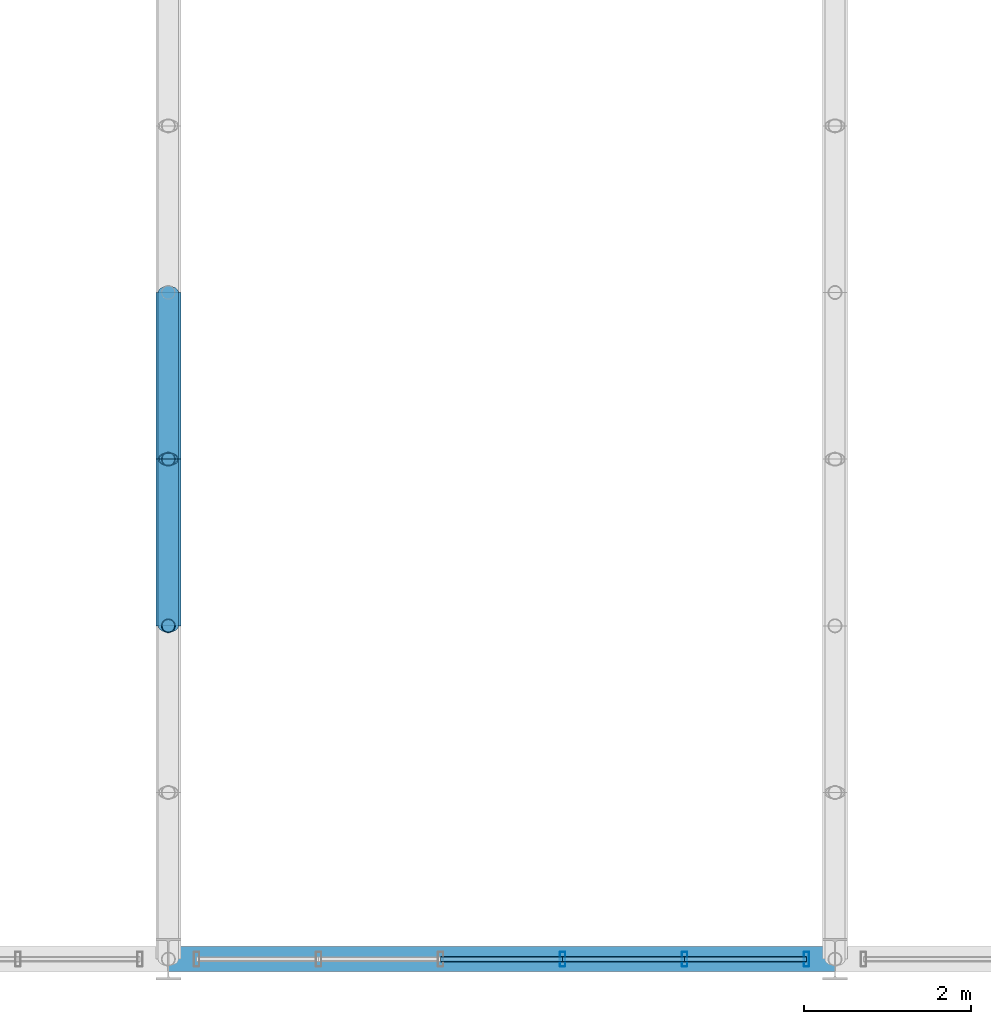
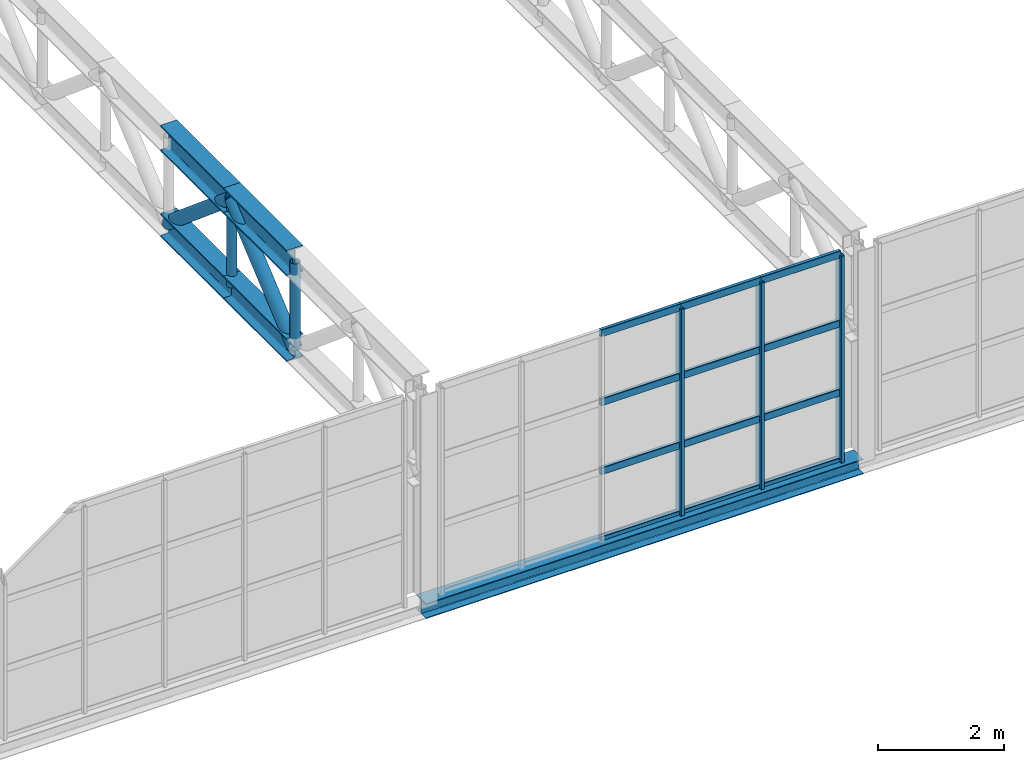
# One storey, part 14 of 67: 23 members, 1 beam, 1 element without a shape of its own.
"""IFC4 building model written with IfcOpenShell, lengths in metres."""

from ifc_helpers import new_model, si_unit, derived_unit, direction, frame, origin, origin_2d, place, context, subcontext, project, spatial, hollow_rectangle, hollow_circle, i_section, extrude, material, material_profile, profile_set, type_object, element, aggregate, save


model = new_model("IFC4")

# Units and contexts
model_context = context("Model", 3, precision=1e-05, world=origin(), true_north=direction((0.0, 1.0)))
body_context = subcontext(model_context, "Body", "Model", "MODEL_VIEW")
ifc_project = project(units=[si_unit("LENGTHUNIT", "METRE"), si_unit("AREAUNIT", "SQUARE_METRE"), si_unit("VOLUMEUNIT", "CUBIC_METRE"), si_unit("PLANEANGLEUNIT", "RADIAN"), si_unit("MASSUNIT", "GRAM", prefix="KILO"), derived_unit("THERMALTRANSMITTANCEUNIT", [(si_unit("POWERUNIT", "WATT"), 1), (si_unit("LENGTHUNIT", "METRE"), -2), (si_unit("THERMODYNAMICTEMPERATUREUNIT", "KELVIN"), -1)])], contexts=[model_context])

# Site, building, storey
site_placement = place(None, origin())
site = spatial("IfcSite", under=ifc_project, at=site_placement, CompositionType="ELEMENT")
building_placement = place(site_placement, origin())
building = spatial("IfcBuilding", under=site, at=building_placement, Name="Keldorne Ridge Multi-Sports Centre", CompositionType="ELEMENT")
storey_placement = place(building_placement, frame((0.0, 0.0, 14.0)))
storey = spatial("IfcBuildingStorey", under=building, at=storey_placement, Name="L03", CompositionType="ELEMENT", Elevation=14.0)

# Beam
ifc_material_1 = material(Name="Steel S355", Category="steel")
ifc_material_profile_1 = material_profile(ifc_material_1, i_section(OverallWidth=0.300048828125, OverallDepth=0.2900390625, WebThickness=0.008544921875, FlangeThickness=0.013916015625, FilletRadius=0.027099609375, at=origin_2d()), Name="HEA 300")
ifc_profile_set_1 = profile_set([ifc_material_profile_1], Name="Steel S355")
beam_type = type_object("IfcBeamType", Name="BM-SP-04", PredefinedType="SPANDREL", material=ifc_profile_set_1)
beam_placement = place(storey_placement, frame((128.0, 6.0, -0.14990234375), z_axis=(1.0, 0.0, 0.0), x_axis=(0.0, 1.0, 0.0)))
element("IfcBeam", 1, at=beam_placement, inside=storey, type_object=beam_type, Name="Stacked Courts spandrel L03.6.4", PredefinedType="SPANDREL", context=body_context, shape_type="SweptSolid", body=[
    extrude(i_section(OverallWidth=0.300048828125, OverallDepth=0.2900390625, WebThickness=0.008544921875, FlangeThickness=0.013916015625, FilletRadius=0.027099609375, at=origin_2d()), origin(), (0.0, 0.0, 1.0), 8.0),
])

# Curtain wall, members
ifc_material_2 = material(Name="Anodized aluminium", Category="aluminium")
curtain_wall_type = type_object("IfcCurtainWallType", Name="CW-CW-04", PredefinedType="NOTDEFINED", material=ifc_material_2)
curtain_wall_placement = place(storey_placement, origin())
curtain_wall = element("IfcCurtainWall", 2, at=curtain_wall_placement, inside=storey, type_object=curtain_wall_type, Name="Upper Courts high clerestory 108", PredefinedType="NOTDEFINED")
ifc_material_profile_2 = material_profile(ifc_material_2, hollow_rectangle(XDim=0.06494140625, YDim=0.179931640625, WallThickness=0.00439453125, InnerFilletRadius=0.00439453125, OuterFilletRadius=0.009033203125, at=origin_2d()), Name="ALU MULLION 180x65x4.5")
ifc_profile_set_2 = profile_set([ifc_material_profile_2], Name="Anodized aluminium")
member_type_1 = type_object("IfcMemberType", Name="MEM-ML-01", PredefinedType="MULLION", material=ifc_profile_set_2)
member_1_placement = place(storey_placement, frame((132.73193359375, 6.0, 0.0), z_axis=(0.0, 0.0, 1.0), x_axis=(1.0, 0.0, 0.0)))
member_1 = element("IfcMember", 3, at=member_1_placement, type_object=member_type_1, Name="CW-108 vertical mullion 4", PredefinedType="MULLION", context=body_context, shape_type="SweptSolid", body=[
    extrude(hollow_rectangle(XDim=0.06494140625, YDim=0.179931640625, WallThickness=0.00439453125, InnerFilletRadius=0.00439453125, OuterFilletRadius=0.009033203125, at=origin_2d()), origin(), (0.0, 0.0, 1.0), 4.0),
])
member_2_placement = place(storey_placement, frame((134.196044921875, 6.0, 0.0), z_axis=(0.0, 0.0, 1.0), x_axis=(1.0, 0.0, 0.0)))
member_2 = element("IfcMember", 4, at=member_2_placement, type_object=member_type_1, Name="CW-108 vertical mullion 5", PredefinedType="MULLION", context=body_context, shape_type="SweptSolid", body=[
    extrude(hollow_rectangle(XDim=0.06494140625, YDim=0.179931640625, WallThickness=0.00439453125, InnerFilletRadius=0.00439453125, OuterFilletRadius=0.009033203125, at=origin_2d()), origin(), (0.0, 0.0, 1.0), 4.0),
])
member_3_placement = place(storey_placement, frame((135.659912109375, 6.0, 0.0), z_axis=(0.0, 0.0, 1.0), x_axis=(1.0, 0.0, 0.0)))
member_3 = element("IfcMember", 5, at=member_3_placement, type_object=member_type_1, Name="CW-108 vertical mullion 6", PredefinedType="MULLION", context=body_context, shape_type="SweptSolid", body=[
    extrude(hollow_rectangle(XDim=0.06494140625, YDim=0.179931640625, WallThickness=0.00439453125, InnerFilletRadius=0.00439453125, OuterFilletRadius=0.009033203125, at=origin_2d()), origin(), (0.0, 0.0, 1.0), 4.0),
])

# Members
ifc_material_profile_3 = material_profile(ifc_material_1, i_section(OverallWidth=0.300048828125, OverallDepth=0.5, WebThickness=0.014404296875, FlangeThickness=0.028076171875, FilletRadius=0.027099609375, at=origin_2d()), Name="HEB 500")
ifc_profile_set_3 = profile_set([ifc_material_profile_3], Name="Steel S355")
member_type_2 = type_object("IfcMemberType", Name="MEM-TC-03", PredefinedType="CHORD", material=ifc_profile_set_3)
for number, where, z_axis, x_axis, name in (
    (6, (128.0, 10.0, 4.110107421875), (0.0, 1.0, 0.0), (-1.0, 0.0, 0.0), "Stacked Courts Warren TRUSS WT-L04-04 top chord 3"),
    (7, (128.0, 12.0, 4.110107421875), (0.0, 1.0, 0.0), (-1.0, 0.0, 0.0), "Stacked Courts Warren TRUSS WT-L04-04 top chord 4"),
):
    element("IfcMember", number, at=place(storey_placement, frame(where, z_axis=z_axis, x_axis=x_axis)), inside=storey, type_object=member_type_2, Name=name, PredefinedType="CHORD", context=body_context, shape_type="SweptSolid", body=[
        extrude(i_section(OverallWidth=0.300048828125, OverallDepth=0.5, WebThickness=0.014404296875, FlangeThickness=0.028076171875, FilletRadius=0.027099609375, at=origin_2d()), origin(), (0.0, 0.0, 1.0), 2.0),
    ])
ifc_material_profile_4 = material_profile(ifc_material_1, i_section(OverallWidth=0.300048828125, OverallDepth=0.449951171875, WebThickness=0.013916015625, FlangeThickness=0.02587890625, FilletRadius=0.027099609375, at=origin_2d()), Name="HEB 450")
ifc_profile_set_4 = profile_set([ifc_material_profile_4], Name="Steel S355")
member_type_3 = type_object("IfcMemberType", Name="MEM-TC-04", PredefinedType="CHORD", material=ifc_profile_set_4)
for number, where, z_axis, x_axis, name in (
    (8, (128.0, 10.0, 2.429931640625), (0.0, 1.0, 0.0), (-1.0, 0.0, 0.0), "Stacked Courts Warren TRUSS WT-L04-04 bottom chord 3"),
    (9, (128.0, 12.0, 2.429931640625), (0.0, 1.0, 0.0), (-1.0, 0.0, 0.0), "Stacked Courts Warren TRUSS WT-L04-04 bottom chord 4"),
):
    element("IfcMember", number, at=place(storey_placement, frame(where, z_axis=z_axis, x_axis=x_axis)), inside=storey, type_object=member_type_3, Name=name, PredefinedType="CHORD", context=body_context, shape_type="SweptSolid", body=[
        extrude(i_section(OverallWidth=0.300048828125, OverallDepth=0.449951171875, WebThickness=0.013916015625, FlangeThickness=0.02587890625, FilletRadius=0.027099609375, at=origin_2d()), origin(), (0.0, 0.0, 1.0), 2.0),
    ])
ifc_material_profile_5 = material_profile(ifc_material_1, hollow_circle(Radius=0.122314453125, WallThickness=0.012451171875, at=origin_2d()), Name="CHS 244.5x12.5")
ifc_profile_set_5 = profile_set([ifc_material_profile_5], Name="Steel S355")
member_type_4 = type_object("IfcMemberType", Name="MEM-TD-02", PredefinedType="BRACE", material=ifc_profile_set_5)
for number, where, z_axis, x_axis, name in (
    (10, (128.0, 10.0, 2.429931640625), (0.0, 0.765671721121, 0.643231541108), (-1.0, 0.0, 0.0), "Stacked Courts Warren TRUSS WT-L04-04 diagonal 3"),
    (11, (128.0, 12.0, 4.110107421875), (0.0, 0.765671721121, -0.643231541108), (-1.0, 0.0, 0.0), "Stacked Courts Warren TRUSS WT-L04-04 diagonal 4"),
):
    element("IfcMember", number, at=place(storey_placement, frame(where, z_axis=z_axis, x_axis=x_axis)), inside=storey, type_object=member_type_4, Name=name, PredefinedType="BRACE", context=body_context, shape_type="SweptSolid", body=[
        extrude(hollow_circle(Radius=0.122314453125, WallThickness=0.012451171875, at=origin_2d()), origin(), (0.0, 0.0, 1.0), 2.612060546875),
    ])

# Member
ifc_material_profile_6 = material_profile(ifc_material_2, hollow_rectangle(XDim=0.06494140625, YDim=0.139892578125, WallThickness=0.00439453125, InnerFilletRadius=0.00439453125, OuterFilletRadius=0.009033203125, at=origin_2d()), Name="ALU TRANSOM 140x65x4.5")
ifc_profile_set_6 = profile_set([ifc_material_profile_6], Name="Anodized aluminium")
member_type_5 = type_object("IfcMemberType", Name="MEM-TR-01", PredefinedType="USERDEFINED", material=ifc_profile_set_6)
member_4_placement = place(storey_placement, frame((131.26806640625, 6.0, 0.0), z_axis=(1.0, 0.0, 0.0), x_axis=(0.0, 1.0, 0.0)))
member_4 = element("IfcMember", 12, at=member_4_placement, type_object=member_type_5, Name="CW-108 transom 3.1", ObjectType="TRANSOM", PredefinedType="USERDEFINED", context=body_context, shape_type="SweptSolid", body=[
    extrude(hollow_rectangle(XDim=0.06494140625, YDim=0.139892578125, WallThickness=0.00439453125, InnerFilletRadius=0.00439453125, OuterFilletRadius=0.009033203125, at=origin_2d()), origin(), (0.0, 0.0, 1.0), 1.4638671875),
])

member_5_placement = place(storey_placement, frame((131.26806640625, 6.0, 1.333251953125), z_axis=(1.0, 0.0, 0.0), x_axis=(0.0, 1.0, 0.0)))
member_5 = element("IfcMember", 13, at=member_5_placement, type_object=member_type_5, Name="CW-108 transom 3.2", ObjectType="TRANSOM", PredefinedType="USERDEFINED", context=body_context, shape_type="SweptSolid", body=[
    extrude(hollow_rectangle(XDim=0.06494140625, YDim=0.139892578125, WallThickness=0.00439453125, InnerFilletRadius=0.00439453125, OuterFilletRadius=0.009033203125, at=origin_2d()), origin(), (0.0, 0.0, 1.0), 1.4638671875),
])

member_6_placement = place(storey_placement, frame((131.26806640625, 6.0, 2.666748046875), z_axis=(1.0, 0.0, 0.0), x_axis=(0.0, 1.0, 0.0)))
member_6 = element("IfcMember", 14, at=member_6_placement, type_object=member_type_5, Name="CW-108 transom 3.3", ObjectType="TRANSOM", PredefinedType="USERDEFINED", context=body_context, shape_type="SweptSolid", body=[
    extrude(hollow_rectangle(XDim=0.06494140625, YDim=0.139892578125, WallThickness=0.00439453125, InnerFilletRadius=0.00439453125, OuterFilletRadius=0.009033203125, at=origin_2d()), origin(), (0.0, 0.0, 1.0), 1.4638671875),
])

member_7_placement = place(storey_placement, frame((131.26806640625, 6.0, 4.0), z_axis=(1.0, 0.0, 0.0), x_axis=(0.0, 1.0, 0.0)))
member_7 = element("IfcMember", 15, at=member_7_placement, type_object=member_type_5, Name="CW-108 transom 3.4", ObjectType="TRANSOM", PredefinedType="USERDEFINED", context=body_context, shape_type="SweptSolid", body=[
    extrude(hollow_rectangle(XDim=0.06494140625, YDim=0.139892578125, WallThickness=0.00439453125, InnerFilletRadius=0.00439453125, OuterFilletRadius=0.009033203125, at=origin_2d()), origin(), (0.0, 0.0, 1.0), 1.4638671875),
])

member_8_placement = place(storey_placement, frame((132.73193359375, 6.0, 0.0), z_axis=(1.0, 0.0, 0.0), x_axis=(0.0, 1.0, 0.0)))
member_8 = element("IfcMember", 16, at=member_8_placement, type_object=member_type_5, Name="CW-108 transom 4.1", ObjectType="TRANSOM", PredefinedType="USERDEFINED", context=body_context, shape_type="SweptSolid", body=[
    extrude(hollow_rectangle(XDim=0.06494140625, YDim=0.139892578125, WallThickness=0.00439453125, InnerFilletRadius=0.00439453125, OuterFilletRadius=0.009033203125, at=origin_2d()), origin(), (0.0, 0.0, 1.0), 1.464111328125),
])

member_9_placement = place(storey_placement, frame((132.73193359375, 6.0, 1.333251953125), z_axis=(1.0, 0.0, 0.0), x_axis=(0.0, 1.0, 0.0)))
member_9 = element("IfcMember", 17, at=member_9_placement, type_object=member_type_5, Name="CW-108 transom 4.2", ObjectType="TRANSOM", PredefinedType="USERDEFINED", context=body_context, shape_type="SweptSolid", body=[
    extrude(hollow_rectangle(XDim=0.06494140625, YDim=0.139892578125, WallThickness=0.00439453125, InnerFilletRadius=0.00439453125, OuterFilletRadius=0.009033203125, at=origin_2d()), origin(), (0.0, 0.0, 1.0), 1.464111328125),
])

member_10_placement = place(storey_placement, frame((132.73193359375, 6.0, 2.666748046875), z_axis=(1.0, 0.0, 0.0), x_axis=(0.0, 1.0, 0.0)))
member_10 = element("IfcMember", 18, at=member_10_placement, type_object=member_type_5, Name="CW-108 transom 4.3", ObjectType="TRANSOM", PredefinedType="USERDEFINED", context=body_context, shape_type="SweptSolid", body=[
    extrude(hollow_rectangle(XDim=0.06494140625, YDim=0.139892578125, WallThickness=0.00439453125, InnerFilletRadius=0.00439453125, OuterFilletRadius=0.009033203125, at=origin_2d()), origin(), (0.0, 0.0, 1.0), 1.464111328125),
])

member_11_placement = place(storey_placement, frame((132.73193359375, 6.0, 4.0), z_axis=(1.0, 0.0, 0.0), x_axis=(0.0, 1.0, 0.0)))
member_11 = element("IfcMember", 19, at=member_11_placement, type_object=member_type_5, Name="CW-108 transom 4.4", ObjectType="TRANSOM", PredefinedType="USERDEFINED", context=body_context, shape_type="SweptSolid", body=[
    extrude(hollow_rectangle(XDim=0.06494140625, YDim=0.139892578125, WallThickness=0.00439453125, InnerFilletRadius=0.00439453125, OuterFilletRadius=0.009033203125, at=origin_2d()), origin(), (0.0, 0.0, 1.0), 1.464111328125),
])

member_12_placement = place(storey_placement, frame((134.196044921875, 6.0, 0.0), z_axis=(1.0, 0.0, 0.0), x_axis=(0.0, 1.0, 0.0)))
member_12 = element("IfcMember", 20, at=member_12_placement, type_object=member_type_5, Name="CW-108 transom 5.1", ObjectType="TRANSOM", PredefinedType="USERDEFINED", context=body_context, shape_type="SweptSolid", body=[
    extrude(hollow_rectangle(XDim=0.06494140625, YDim=0.139892578125, WallThickness=0.00439453125, InnerFilletRadius=0.00439453125, OuterFilletRadius=0.009033203125, at=origin_2d()), origin(), (0.0, 0.0, 1.0), 1.4638671875),
])

member_13_placement = place(storey_placement, frame((134.196044921875, 6.0, 1.333251953125), z_axis=(1.0, 0.0, 0.0), x_axis=(0.0, 1.0, 0.0)))
member_13 = element("IfcMember", 21, at=member_13_placement, type_object=member_type_5, Name="CW-108 transom 5.2", ObjectType="TRANSOM", PredefinedType="USERDEFINED", context=body_context, shape_type="SweptSolid", body=[
    extrude(hollow_rectangle(XDim=0.06494140625, YDim=0.139892578125, WallThickness=0.00439453125, InnerFilletRadius=0.00439453125, OuterFilletRadius=0.009033203125, at=origin_2d()), origin(), (0.0, 0.0, 1.0), 1.4638671875),
])

member_14_placement = place(storey_placement, frame((134.196044921875, 6.0, 2.666748046875), z_axis=(1.0, 0.0, 0.0), x_axis=(0.0, 1.0, 0.0)))
member_14 = element("IfcMember", 22, at=member_14_placement, type_object=member_type_5, Name="CW-108 transom 5.3", ObjectType="TRANSOM", PredefinedType="USERDEFINED", context=body_context, shape_type="SweptSolid", body=[
    extrude(hollow_rectangle(XDim=0.06494140625, YDim=0.139892578125, WallThickness=0.00439453125, InnerFilletRadius=0.00439453125, OuterFilletRadius=0.009033203125, at=origin_2d()), origin(), (0.0, 0.0, 1.0), 1.4638671875),
])

member_15_placement = place(storey_placement, frame((134.196044921875, 6.0, 4.0), z_axis=(1.0, 0.0, 0.0), x_axis=(0.0, 1.0, 0.0)))
member_15 = element("IfcMember", 23, at=member_15_placement, type_object=member_type_5, Name="CW-108 transom 5.4", ObjectType="TRANSOM", PredefinedType="USERDEFINED", context=body_context, shape_type="SweptSolid", body=[
    extrude(hollow_rectangle(XDim=0.06494140625, YDim=0.139892578125, WallThickness=0.00439453125, InnerFilletRadius=0.00439453125, OuterFilletRadius=0.009033203125, at=origin_2d()), origin(), (0.0, 0.0, 1.0), 1.4638671875),
])

aggregate(curtain_wall, [member_1, member_2, member_3, member_4, member_5, member_6, member_7, member_8, member_9, member_10, member_11, member_12, member_13, member_14, member_15])

# Members
ifc_material_profile_7 = material_profile(ifc_material_1, hollow_circle(Radius=0.084228515625, WallThickness=0.010009765625, at=origin_2d()), Name="CHS 168.3x10")
ifc_profile_set_7 = profile_set([ifc_material_profile_7], Name="Steel S355")
member_type_6 = type_object("IfcMemberType", Name="MEM-TV-01", PredefinedType="STRUT", material=ifc_profile_set_7)
for number, where, z_axis, x_axis, name in (
    (24, (128.0, 10.0, 2.429931640625), (0.0, 0.0, 1.0), (1.0, 0.0, 0.0), "Stacked Courts Warren TRUSS WT-L04-04 post 3"),
    (25, (128.0, 12.0, 2.429931640625), (0.0, 0.0, 1.0), (1.0, 0.0, 0.0), "Stacked Courts Warren TRUSS WT-L04-04 post 4"),
):
    element("IfcMember", number, at=place(storey_placement, frame(where, z_axis=z_axis, x_axis=x_axis)), inside=storey, type_object=member_type_6, Name=name, PredefinedType="STRUT", context=body_context, shape_type="SweptSolid", body=[
        extrude(hollow_circle(Radius=0.084228515625, WallThickness=0.010009765625, at=origin_2d()), origin(), (0.0, 0.0, 1.0), 1.68017578125),
    ])

save(model, "model.ifc")
